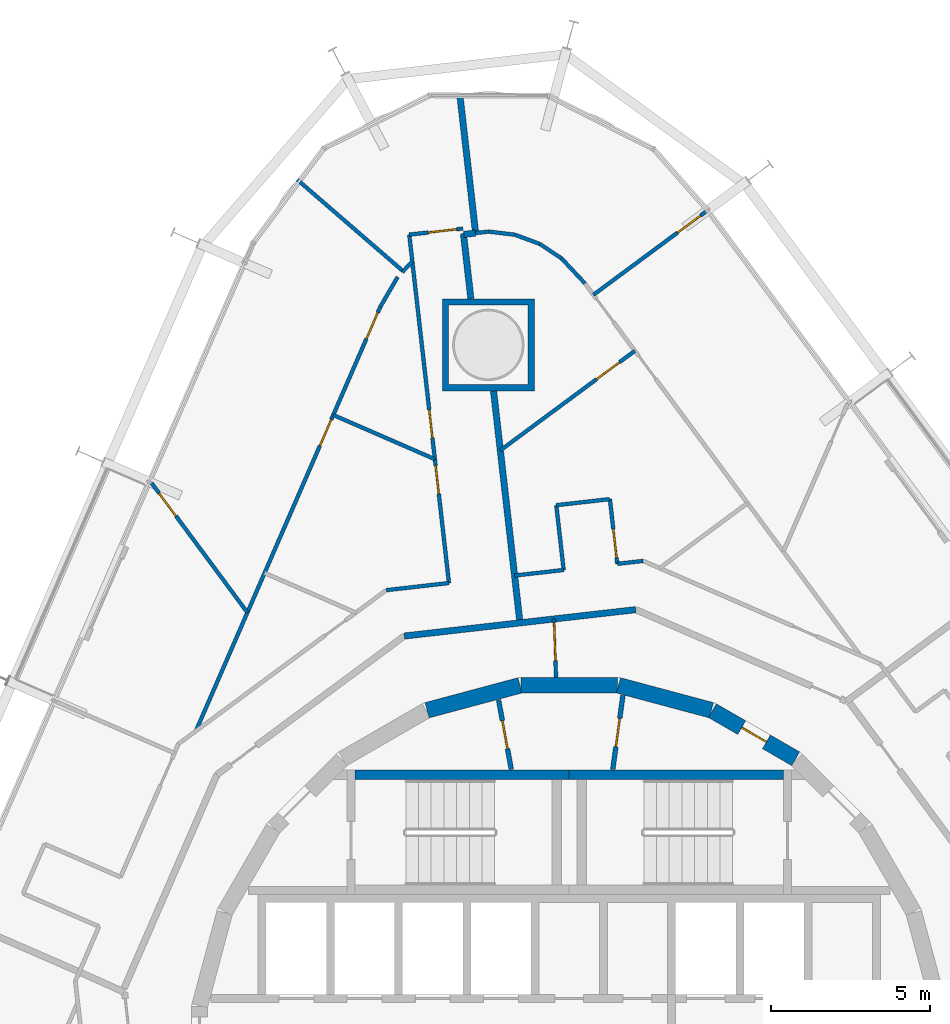
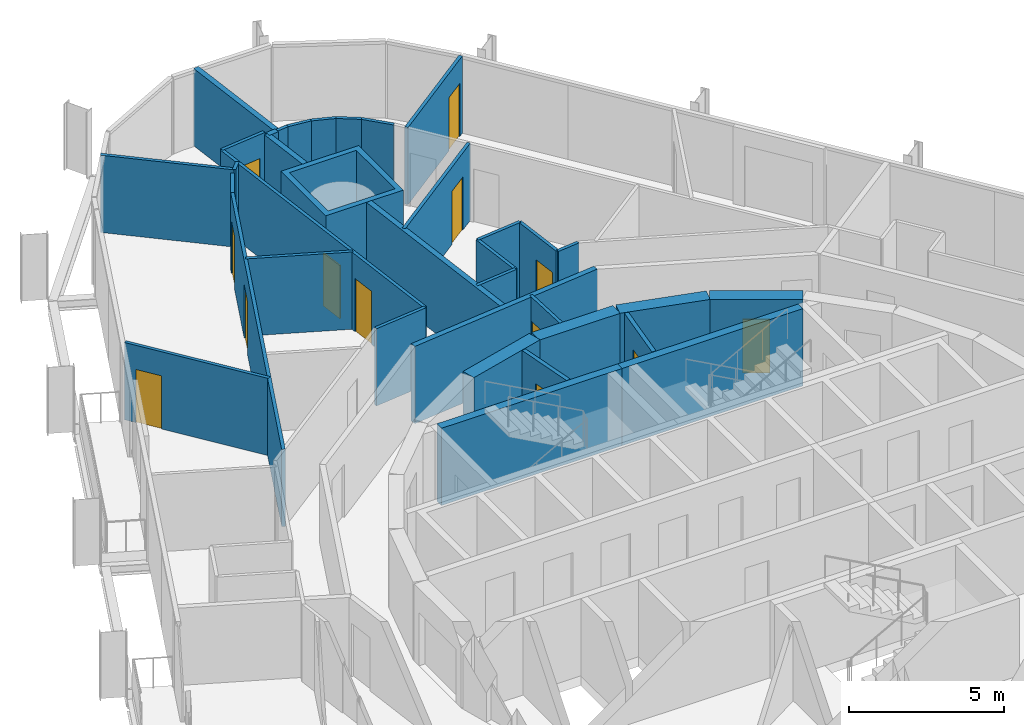
# One storey, part 21 of 23: 36 walls, 13 doors, 13 openings.
"""IFC4 building model written with IfcOpenShell, lengths in metres."""

from ifc_helpers import new_model, si_unit, direction, frame, frame_2d, origin, place, context, subcontext, project, spatial, polyline, rectangle, outline, extrude, material, layer, layer_set, type_object, element, fill, save


model = new_model("IFC4")

# Units and contexts
model_context = context("Model", 3, precision=1e-05, world=origin(), true_north=direction((0.0, 1.0)))
body_context = subcontext(model_context, "Body", "Model", "MODEL_VIEW")
ifc_project = project(units=[si_unit("LENGTHUNIT", "METRE"), si_unit("AREAUNIT", "SQUARE_METRE"), si_unit("VOLUMEUNIT", "CUBIC_METRE"), si_unit("PLANEANGLEUNIT", "RADIAN"), si_unit("MASSUNIT", "GRAM", prefix="KILO")], contexts=[model_context])

# Site, building, storey
site_placement = place(None, origin())
site = spatial("IfcSite", under=ifc_project, at=site_placement, CompositionType="ELEMENT")
building_placement = place(site_placement, origin())
building = spatial("IfcBuilding", under=site, at=building_placement, Name="Spindle Arch Residences", CompositionType="ELEMENT")
storey_placement = place(building_placement, frame((0.0, 0.0, 104.699951171875)))
storey = spatial("IfcBuildingStorey", under=building, at=storey_placement, Name="L25", CompositionType="ELEMENT", Elevation=104.699951171875)

# Wall, opening, door
ifc_material_1 = material(Name="Concrete C50/60", Category="concrete")
ifc_layer_1 = layer(ifc_material_1, 0.5)
ifc_layer_set_1 = layer_set([ifc_layer_1], Name="Core outline wall 500")
wall_type_1 = type_object("IfcWallType", Name="Core outline wall 500", PredefinedType="SHEAR", material=ifc_layer_set_1)
wall_1_placement = place(storey_placement, frame((7.13671875, 9.32861328125, 0.0), z_axis=(0.0, 0.0, 1.0), x_axis=(-0.865975092491, 0.500087131594, 0.0)))
wall_1 = element("IfcWall", 1, at=wall_1_placement, inside=storey, type_object=wall_type_1, Name="Core outline wall 10", PredefinedType="SHEAR", context=body_context, shape_type="SweptSolid", body=[
    extrude(rectangle(XDim=3.03271484375, YDim=0.5, at=frame_2d((1.516357421875, 0.0))), origin(), (0.0, 0.0, 1.0), 3.050048828125),
])
opening_1_placement = place(wall_1_placement, frame((1.06640625, 0.0, 0.0)))
opening_1 = element("IfcOpeningElement", 2, at=opening_1_placement, cuts=wall_1, Name="Opening R2C0-WD10", PredefinedType="OPENING", context=body_context, shape_type="SweptSolid", body=[
    extrude(rectangle(XDim=0.89990234375, YDim=2.10009765625, at=frame_2d((0.449951171875, 1.050048828125))), frame((0.0, 0.260009765625, 0.0), z_axis=(0.0, -1.0, 0.0), x_axis=(1.0, 0.0, 0.0)), (0.0, 0.0, 1.0), 0.52001953125),
])
ifc_material_2 = material(Name="Steel, fire-resisting door", Category="steel")
door_type_1 = type_object("IfcDoorType", Name="Service room door 900x2100", OperationType="SINGLE_SWING_LEFT", PredefinedType="DOOR", material=ifc_material_2)
door_1_placement = place(opening_1_placement, origin())
door_1 = element("IfcDoor", 3, at=door_1_placement, inside=storey, type_object=door_type_1, Name="Service room door R2C0-WD10", OperationType="SINGLE_SWING_LEFT", OverallHeight=2.10009765625, OverallWidth=0.89990234375, PredefinedType="DOOR", context=body_context, shape_type="SweptSolid", body=[
    extrude(rectangle(XDim=0.89990234375, YDim=2.10009765625, at=frame_2d((0.449951171875, 1.050048828125))), frame((0.0, 0.02490234375, 0.0), z_axis=(0.0, -1.0, 0.0), x_axis=(1.0, 0.0, 0.0)), (0.0, 0.0, 1.0), 0.050048828125),
])
fill(opening_1, door_1)

# Walls
for number, where, z_axis, x_axis, name in (
    (4, (4.479248046875, 10.858154296875, 0.0), (0.0, 0.0, 1.0), (-0.965948410781, 0.258734743916, 0.0), "Core outline wall 11"),
    (5, (1.516357421875, 11.647216796875, 0.0), (0.0, 0.0, 1.0), (-1.0, 0.0, 0.0), "Core outline wall 12"),
    (6, (-1.5498046875, 11.642822265625, 0.0), (0.0, 0.0, 1.0), (-0.965948410781, -0.258734743916, 0.0), "Core outline wall 13"),
):
    element("IfcWall", number, at=place(storey_placement, frame(where, z_axis=z_axis, x_axis=x_axis)), inside=storey, type_object=wall_type_1, Name=name, PredefinedType="SHEAR", context=body_context, shape_type="SweptSolid", body=[
        extrude(rectangle(XDim=3.03271484375, YDim=0.5, at=frame_2d((1.516357421875, 0.0))), origin(), (0.0, 0.0, 1.0), 3.050048828125),
    ])

# Wall, opening, door
ifc_material_3 = material(Name="Plasterboard on steel studs", Category="steel")
ifc_layer_2 = layer(ifc_material_3, 0.1201171875)
ifc_layer_set_2 = layer_set([ifc_layer_2], Name="Corridor division wall 120")
wall_type_2 = type_object("IfcWallType", Name="Corridor division wall 120", PredefinedType="PARTITIONING", material=ifc_layer_set_2)
wall_2_placement = place(storey_placement, frame((-0.4794921875, 13.73388671875, 0.0), z_axis=(0.0, 0.0, 1.0), x_axis=(0.034805430832, -0.999394107439, 0.0)))
wall_2 = element("IfcWall", 7, at=wall_2_placement, inside=storey, type_object=wall_type_2, Name="Corridor division wall R2C0-W001", PredefinedType="PARTITIONING", context=body_context, shape_type="SweptSolid", body=[
    extrude(rectangle(XDim=1.837890625, YDim=0.1201171875, at=frame_2d((0.9189453125, 0.0))), origin(), (0.0, 0.0, 1.0), 3.050048828125),
])
opening_2_placement = place(wall_2_placement, frame((0.114990234375, 0.0, 0.0)))
opening_2 = element("IfcOpeningElement", 8, at=opening_2_placement, cuts=wall_2, Name="Opening R2C0-CD01", PredefinedType="OPENING", context=body_context, shape_type="SweptSolid", body=[
    extrude(rectangle(XDim=1.199951171875, YDim=2.10009765625, at=frame_2d((0.60009765625, 1.050048828125))), frame((0.0, 0.070068359375, 0.0), z_axis=(0.0, -1.0, 0.0), x_axis=(1.0, 0.0, 0.0)), (0.0, 0.0, 1.0), 0.14013671875),
])
ifc_material_4 = material(Name="Steel, fire-resisting door", Category="steel")
door_type_2 = type_object("IfcDoorType", Name="Corridor division door 1200x2100", OperationType="NOTDEFINED", PredefinedType="DOOR", material=ifc_material_4)
door_2_placement = place(opening_2_placement, origin())
door_2 = element("IfcDoor", 9, at=door_2_placement, inside=storey, type_object=door_type_2, Name="Corridor division door R2C0-CD01", OperationType="DOUBLE_DOOR_SINGLE_SWING", OverallHeight=2.10009765625, OverallWidth=1.199951171875, PredefinedType="DOOR", context=body_context, shape_type="SweptSolid", body=[
    extrude(rectangle(XDim=1.199951171875, YDim=2.10009765625, at=frame_2d((0.60009765625, 1.050048828125))), frame((0.0, 0.02490234375, 0.0), z_axis=(0.0, -1.0, 0.0), x_axis=(1.0, 0.0, 0.0)), (0.0, 0.0, 1.0), 0.050048828125),
])
fill(opening_2, door_2)

# Walls
ifc_material_5 = material(Name="Calcium silicate block, plastered")
ifc_layer_3 = layer(ifc_material_5, 0.199951171875)
ifc_layer_set_3 = layer_set([ifc_layer_3], Name="Corridor wall 200")
wall_type_3 = type_object("IfcWallType", Name="Corridor wall 200", PredefinedType="STANDARD", material=ifc_layer_set_3)
wall_3_placement = place(storey_placement, frame((2.096435546875, 14.027587890625, 0.0), z_axis=(0.0, 0.0, 1.0), x_axis=(-0.993569170114, -0.113226782163, 0.0)))
element("IfcWall", 10, at=wall_3_placement, inside=storey, type_object=wall_type_3, Name="Corridor wall R2C0-W008", PredefinedType="STANDARD", context=body_context, shape_type="SweptSolid", body=[
    extrude(rectangle(XDim=7.341796875, YDim=0.199951171875, at=frame_2d((3.6708984375, 0.0))), origin(), (0.0, 0.0, 1.0), 3.050048828125),
])
ifc_material_6 = material(Name="Plasterboard on steel studs", Category="steel")
ifc_layer_4 = layer(ifc_material_6, 0.1201171875)
ifc_layer_set_4 = layer_set([ifc_layer_4], Name="Flat partition 120")
wall_type_4 = type_object("IfcWallType", Name="Flat partition 120", PredefinedType="PARTITIONING", material=ifc_layer_set_4)
wall_4_placement = place(storey_placement, frame((2.325927734375, 15.563232421875, 0.0), z_axis=(0.0, 0.0, 1.0), x_axis=(-0.993570169982, -0.113218007944, 0.0)))
element("IfcWall", 11, at=wall_4_placement, inside=storey, type_object=wall_type_4, Name="Flat partition R2C0-W051", PredefinedType="PARTITIONING", context=body_context, shape_type="SweptSolid", body=[
    extrude(rectangle(XDim=0.8173828125, YDim=0.1201171875, at=frame_2d((0.40869140625, 0.0))), origin(), (0.0, 0.0, 1.0), 3.050048828125),
])

# Wall, opening, door
wall_5_placement = place(storey_placement, frame((1.513916015625, 15.470703125, 0.0), z_axis=(0.0, 0.0, 1.0), x_axis=(-0.113301814952, 0.993560616535, 0.0)))
wall_5 = element("IfcWall", 12, at=wall_5_placement, inside=storey, type_object=wall_type_4, Name="Flat partition R2C0-W052", PredefinedType="PARTITIONING", context=body_context, shape_type="SweptSolid", body=[
    extrude(rectangle(XDim=2.053466796875, YDim=0.1201171875, at=frame_2d((1.02685546875, 0.0))), origin(), (0.0, 0.0, 1.0), 3.050048828125),
])
opening_3_placement = place(wall_5_placement, frame((0.199951171875, 0.0, 0.0)))
opening_3 = element("IfcOpeningElement", 13, at=opening_3_placement, cuts=wall_5, Name="Opening R2C0-ID08", PredefinedType="OPENING", context=body_context, shape_type="SweptSolid", body=[
    extrude(rectangle(XDim=0.89990234375, YDim=2.10009765625, at=frame_2d((0.449951171875, 1.050048828125))), frame((0.0, 0.070068359375, 0.0), z_axis=(0.0, -1.0, 0.0), x_axis=(1.0, 0.0, 0.0)), (0.0, 0.0, 1.0), 0.14013671875),
])
ifc_material_7 = material(Name="Timber door set", Category="wood")
door_type_3 = type_object("IfcDoorType", Name="Room door 900x2100", OperationType="NOTDEFINED", PredefinedType="DOOR", material=ifc_material_7)
door_3_placement = place(opening_3_placement, origin())
door_3 = element("IfcDoor", 14, at=door_3_placement, inside=storey, type_object=door_type_3, Name="Room door R2C0-ID08", OperationType="SINGLE_SWING_RIGHT", OverallHeight=2.10009765625, OverallWidth=0.89990234375, PredefinedType="DOOR", context=body_context, shape_type="SweptSolid", body=[
    extrude(rectangle(XDim=0.89990234375, YDim=2.10009765625, at=frame_2d((0.449951171875, 1.050048828125))), frame((0.0, 0.02490234375, 0.0), z_axis=(0.0, -1.0, 0.0), x_axis=(1.0, 0.0, 0.0)), (0.0, 0.0, 1.0), 0.050048828125),
])
fill(opening_3, door_3)

# Walls
wall_6_placement = place(storey_placement, frame((1.28125, 17.510986328125, 0.0), z_axis=(0.0, 0.0, 1.0), x_axis=(-0.993575191649, -0.113173930474, 0.0)))
element("IfcWall", 15, at=wall_6_placement, inside=storey, type_object=wall_type_4, Name="Flat partition R2C0-W053", PredefinedType="PARTITIONING", context=body_context, shape_type="SweptSolid", body=[
    extrude(rectangle(XDim=1.699951171875, YDim=0.1201171875, at=frame_2d((0.85009765625, 0.0))), origin(), (0.0, 0.0, 1.0), 3.050048828125),
])
wall_7_placement = place(storey_placement, frame((-0.40771484375, 17.318603515625, 0.0), z_axis=(0.0, 0.0, 1.0), x_axis=(0.113184449176, -0.993573993452, 0.0)))
element("IfcWall", 16, at=wall_7_placement, inside=storey, type_object=wall_type_4, Name="Flat partition R2C0-W054", PredefinedType="PARTITIONING", context=body_context, shape_type="SweptSolid", body=[
    extrude(rectangle(XDim=2.053466796875, YDim=0.1201171875, at=frame_2d((1.02685546875, 0.0))), origin(), (0.0, 0.0, 1.0), 3.050048828125),
])
wall_8_placement = place(storey_placement, frame((-0.17529296875, 15.2783203125, 0.0), z_axis=(0.0, 0.0, 1.0), x_axis=(-0.993575604955, -0.113170301923, 0.0)))
element("IfcWall", 17, at=wall_8_placement, inside=storey, type_object=wall_type_4, Name="Flat partition R2C0-W055", PredefinedType="PARTITIONING", context=body_context, shape_type="SweptSolid", body=[
    extrude(rectangle(XDim=1.555419921875, YDim=0.1201171875, at=frame_2d((0.77783203125, 0.0))), origin(), (0.0, 0.0, 1.0), 3.050048828125),
])

# Wall, opening, door
wall_9_placement = place(storey_placement, frame((4.29931640625, 26.56494140625, 0.0), z_axis=(0.0, 0.0, 1.0), x_axis=(-0.803851981262, -0.594829380764, 0.0)))
wall_9 = element("IfcWall", 18, at=wall_9_placement, inside=storey, type_object=wall_type_4, Name="Flat partition R2C0-W059", PredefinedType="PARTITIONING", context=body_context, shape_type="SweptSolid", body=[
    extrude(rectangle(XDim=4.39990234375, YDim=0.1201171875, at=frame_2d((2.199951171875, 0.0))), origin(), (0.0, 0.0, 1.0), 3.050048828125),
])
opening_4_placement = place(wall_9_placement, frame((0.199951171875, 0.0, 0.0)))
opening_4 = element("IfcOpeningElement", 19, at=opening_4_placement, cuts=wall_9, Name="Opening R2C0-ID12", PredefinedType="OPENING", context=body_context, shape_type="SweptSolid", body=[
    extrude(rectangle(XDim=0.89990234375, YDim=2.10009765625, at=frame_2d((0.449951171875, 1.050048828125))), frame((0.0, 0.070068359375, 0.0), z_axis=(0.0, -1.0, 0.0), x_axis=(1.0, 0.0, 0.0)), (0.0, 0.0, 1.0), 0.14013671875),
])
door_4_placement = place(opening_4_placement, origin())
door_4 = element("IfcDoor", 20, at=door_4_placement, inside=storey, type_object=door_type_3, Name="Room door R2C0-ID12", OperationType="SINGLE_SWING_RIGHT", OverallHeight=2.10009765625, OverallWidth=0.89990234375, PredefinedType="DOOR", context=body_context, shape_type="SweptSolid", body=[
    extrude(rectangle(XDim=0.89990234375, YDim=2.10009765625, at=frame_2d((0.449951171875, 1.050048828125))), frame((0.0, 0.02490234375, 0.0), z_axis=(0.0, -1.0, 0.0), x_axis=(1.0, 0.0, 0.0)), (0.0, 0.0, 1.0), 0.050048828125),
])
fill(opening_4, door_4)

wall_10_placement = place(storey_placement, frame((2.068359375, 22.182861328125, 0.0), z_axis=(0.0, 0.0, 1.0), x_axis=(-0.803867138365, -0.594808896921, 0.0)))
wall_10 = element("IfcWall", 21, at=wall_10_placement, inside=storey, type_object=wall_type_4, Name="Flat partition R2C0-W060", PredefinedType="PARTITIONING", context=body_context, shape_type="SweptSolid", body=[
    extrude(rectangle(XDim=5.272705078125, YDim=0.1201171875, at=frame_2d((2.63623046875, 0.0))), origin(), (0.0, 0.0, 1.0), 3.050048828125),
])
opening_5_placement = place(wall_10_placement, frame((0.60009765625, 0.0, 0.0)))
opening_5 = element("IfcOpeningElement", 22, at=opening_5_placement, cuts=wall_10, Name="Opening R2C0-ID10", PredefinedType="OPENING", context=body_context, shape_type="SweptSolid", body=[
    extrude(rectangle(XDim=0.89990234375, YDim=2.10009765625, at=frame_2d((0.449951171875, 1.050048828125))), frame((0.0, 0.070068359375, 0.0), z_axis=(0.0, -1.0, 0.0), x_axis=(1.0, 0.0, 0.0)), (0.0, 0.0, 1.0), 0.14013671875),
])
door_5_placement = place(opening_5_placement, origin())
door_5 = element("IfcDoor", 23, at=door_5_placement, inside=storey, type_object=door_type_3, Name="Room door R2C0-ID10", OperationType="SINGLE_SWING_RIGHT", OverallHeight=2.10009765625, OverallWidth=0.89990234375, PredefinedType="DOOR", context=body_context, shape_type="SweptSolid", body=[
    extrude(rectangle(XDim=0.89990234375, YDim=2.10009765625, at=frame_2d((0.449951171875, 1.050048828125))), frame((0.0, 0.02490234375, 0.0), z_axis=(0.0, -1.0, 0.0), x_axis=(1.0, 0.0, 0.0)), (0.0, 0.0, 1.0), 0.050048828125),
])
fill(opening_5, door_5)

# Walls
wall_11_placement = place(storey_placement, frame((-2.9501953125, 25.893310546875, 0.0), z_axis=(0.0, 0.0, 1.0), x_axis=(0.993519378224, 0.113662857141, 0.0)))
element("IfcWall", 24, at=wall_11_placement, inside=storey, type_object=wall_type_4, Name="Flat partition R2C0-W061", PredefinedType="PARTITIONING", context=body_context, shape_type="SweptSolid", body=[
    extrude(rectangle(XDim=0.41455078125, YDim=0.1201171875, at=frame_2d((0.207275390625, 0.0))), origin(), (0.0, 0.0, 1.0), 3.050048828125),
])
for number, where, z_axis, x_axis, name in (
    (25, (-2.538330078125, 25.9404296875, 0.0), (0.0, 0.0, 1.0), (0.992894945409, -0.118994232556, 0.0), "Flat partition R2C0-W062"),
    (26, (-1.71533203125, 25.841796875, 0.0), (0.0, 0.0, 1.0), (0.938644465852, -0.344886309856, 0.0), "Flat partition R2C0-W063"),
    (27, (-0.937255859375, 25.555908203125, 0.0), (0.0, 0.0, 1.0), (0.833858440069, -0.551978352769, 0.0), "Flat partition R2C0-W064"),
):
    element("IfcWall", number, at=place(storey_placement, frame(where, z_axis=z_axis, x_axis=x_axis)), inside=storey, type_object=wall_type_4, Name=name, PredefinedType="PARTITIONING", context=body_context, shape_type="SweptSolid", body=[
        extrude(rectangle(XDim=0.828857421875, YDim=0.1201171875, at=frame_2d((0.41455078125, 0.0))), origin(), (0.0, 0.0, 1.0), 3.050048828125),
    ])
wall_12_placement = place(storey_placement, frame((-0.24609375, 25.098388671875, 0.0), z_axis=(0.0, 0.0, 1.0), x_axis=(0.684172712488, -0.729320025426, 0.0)))
element("IfcWall", 28, at=wall_12_placement, inside=storey, type_object=wall_type_4, Name="Flat partition R2C0-W065", PredefinedType="PARTITIONING", context=body_context, shape_type="SweptSolid", body=[
    extrude(rectangle(XDim=1.0869140625, YDim=0.1201171875, at=frame_2d((0.54345703125, 0.0))), origin(), (0.0, 0.0, 1.0), 3.050048828125),
])

# Wall, opening, door
wall_13_placement = place(storey_placement, frame((-3.351318359375, 26.035888671875, 0.0), z_axis=(0.0, 0.0, 1.0), x_axis=(-0.993575191649, -0.113173930474, 0.0)))
wall_13 = element("IfcWall", 29, at=wall_13_placement, inside=storey, type_object=wall_type_4, Name="Flat partition R2C0-W066", PredefinedType="PARTITIONING", context=body_context, shape_type="SweptSolid", body=[
    extrude(rectangle(XDim=1.699951171875, YDim=0.1201171875, at=frame_2d((0.85009765625, 0.0))), origin(), (0.0, 0.0, 1.0), 3.050048828125),
])
opening_6_placement = place(wall_13_placement, frame((0.199951171875, 0.0, 0.0)))
opening_6 = element("IfcOpeningElement", 30, at=opening_6_placement, cuts=wall_13, Name="Opening R2C0-ID14", PredefinedType="OPENING", context=body_context, shape_type="SweptSolid", body=[
    extrude(rectangle(XDim=0.89990234375, YDim=2.10009765625, at=frame_2d((0.449951171875, 1.050048828125))), frame((0.0, 0.070068359375, 0.0), z_axis=(0.0, -1.0, 0.0), x_axis=(1.0, 0.0, 0.0)), (0.0, 0.0, 1.0), 0.14013671875),
])
door_6_placement = place(opening_6_placement, origin())
door_6 = element("IfcDoor", 31, at=door_6_placement, inside=storey, type_object=door_type_3, Name="Room door R2C0-ID14", OperationType="SINGLE_SWING_RIGHT", OverallHeight=2.10009765625, OverallWidth=0.89990234375, PredefinedType="DOOR", context=body_context, shape_type="SweptSolid", body=[
    extrude(rectangle(XDim=0.89990234375, YDim=2.10009765625, at=frame_2d((0.449951171875, 1.050048828125))), frame((0.0, 0.02490234375, 0.0), z_axis=(0.0, -1.0, 0.0), x_axis=(1.0, 0.0, 0.0)), (0.0, 0.0, 1.0), 0.050048828125),
])
fill(opening_6, door_6)

# Wall, openings, doors
wall_14_placement = place(storey_placement, frame((-5.040283203125, 25.843505859375, 0.0), z_axis=(0.0, 0.0, 1.0), x_axis=(0.1132106553, -0.993571007793, 0.0)))
wall_14 = element("IfcWall", 32, at=wall_14_placement, inside=storey, type_object=wall_type_4, Name="Flat partition R2C0-W067", PredefinedType="PARTITIONING", context=body_context, shape_type="SweptSolid", body=[
    extrude(rectangle(XDim=11.0478515625, YDim=0.1201171875, at=frame_2d((5.52392578125, 0.0))), origin(), (0.0, 0.0, 1.0), 3.050048828125),
])
opening_7_placement = place(wall_14_placement, frame((5.55126953125, 0.0, 0.0)))
opening_7 = element("IfcOpeningElement", 33, at=opening_7_placement, cuts=wall_14, Name="Opening R2C0-ID15", PredefinedType="OPENING", context=body_context, shape_type="SweptSolid", body=[
    extrude(rectangle(XDim=0.89990234375, YDim=2.10009765625, at=frame_2d((0.449951171875, 1.050048828125))), frame((0.0, 0.070068359375, 0.0), z_axis=(0.0, -1.0, 0.0), x_axis=(1.0, 0.0, 0.0)), (0.0, 0.0, 1.0), 0.14013671875),
])
opening_8_placement = place(wall_14_placement, frame((7.320068359375, 0.0, 0.0)))
opening_8 = element("IfcOpeningElement", 34, at=opening_8_placement, cuts=wall_14, Name="Opening R2C0-ID16", PredefinedType="OPENING", context=body_context, shape_type="SweptSolid", body=[
    extrude(rectangle(XDim=0.89990234375, YDim=2.10009765625, at=frame_2d((0.449951171875, 1.050048828125))), frame((0.0, 0.070068359375, 0.0), z_axis=(0.0, -1.0, 0.0), x_axis=(1.0, 0.0, 0.0)), (0.0, 0.0, 1.0), 0.14013671875),
])
door_7_placement = place(opening_7_placement, origin())
door_7 = element("IfcDoor", 35, at=door_7_placement, inside=storey, type_object=door_type_3, Name="Room door R2C0-ID15", OperationType="SINGLE_SWING_LEFT", OverallHeight=2.10009765625, OverallWidth=0.89990234375, PredefinedType="DOOR", context=body_context, shape_type="SweptSolid", body=[
    extrude(rectangle(XDim=0.89990234375, YDim=2.10009765625, at=frame_2d((0.449951171875, 1.050048828125))), frame((0.0, 0.02490234375, 0.0), z_axis=(0.0, -1.0, 0.0), x_axis=(1.0, 0.0, 0.0)), (0.0, 0.0, 1.0), 0.050048828125),
])
fill(opening_7, door_7)
door_8_placement = place(opening_8_placement, origin())
door_8 = element("IfcDoor", 36, at=door_8_placement, inside=storey, type_object=door_type_3, Name="Room door R2C0-ID16", OperationType="SINGLE_SWING_LEFT", OverallHeight=2.10009765625, OverallWidth=0.89990234375, PredefinedType="DOOR", context=body_context, shape_type="SweptSolid", body=[
    extrude(rectangle(XDim=0.89990234375, YDim=2.10009765625, at=frame_2d((0.449951171875, 1.050048828125))), frame((0.0, 0.02490234375, 0.0), z_axis=(0.0, -1.0, 0.0), x_axis=(1.0, 0.0, 0.0)), (0.0, 0.0, 1.0), 0.050048828125),
])
fill(opening_8, door_8)

# Walls
wall_15_placement = place(storey_placement, frame((-3.78955078125, 14.86669921875, 0.0), z_axis=(0.0, 0.0, 1.0), x_axis=(-0.993557948123, -0.113325212204, 0.0)))
element("IfcWall", 37, at=wall_15_placement, inside=storey, type_object=wall_type_4, Name="Flat partition R2C0-W068", PredefinedType="PARTITIONING", context=body_context, shape_type="SweptSolid", body=[
    extrude(rectangle(XDim=1.99072265625, YDim=0.1201171875, at=frame_2d((0.995361328125, 0.0))), origin(), (0.0, 0.0, 1.0), 3.050048828125),
])
wall_16_placement = place(storey_placement, frame((-5.261474609375, 24.662841796875, 0.0), z_axis=(0.0, 0.0, 1.0), x_axis=(0.688346106747, 0.725382407648, 0.0)))
element("IfcWall", 38, at=wall_16_placement, inside=storey, type_object=wall_type_4, Name="Flat partition R2C0-W075", PredefinedType="PARTITIONING", context=body_context, shape_type="SweptSolid", body=[
    extrude(rectangle(XDim=0.46142578125, YDim=0.1201171875, at=frame_2d((0.230712890625, 0.0))), origin(), (0.0, 0.0, 1.0), 3.050048828125),
])
wall_17_placement = place(storey_placement, frame((-8.56591796875, 27.57275390625, 0.0), z_axis=(0.0, 0.0, 1.0), x_axis=(0.756463964606, -0.654035373854, 0.0)))
element("IfcWall", 39, at=wall_17_placement, inside=storey, type_object=wall_type_4, Name="Flat partition R2C0-W076", PredefinedType="PARTITIONING", context=body_context, shape_type="SweptSolid", body=[
    extrude(rectangle(XDim=4.40478515625, YDim=0.1201171875, at=frame_2d((2.202392578125, 0.0))), origin(), (0.0, 0.0, 1.0), 3.050048828125),
])
wall_18_placement = place(storey_placement, frame((-7.43505859375, 20.160888671875, 0.0), z_axis=(0.0, 0.0, 1.0), x_axis=(0.917055599503, -0.398759360291, 0.0)))
element("IfcWall", 40, at=wall_18_placement, inside=storey, type_object=wall_type_4, Name="Flat partition R2C0-W077", PredefinedType="PARTITIONING", context=body_context, shape_type="SweptSolid", body=[
    extrude(rectangle(XDim=3.490478515625, YDim=0.1201171875, at=frame_2d((1.7451171875, 0.0))), origin(), (0.0, 0.0, 1.0), 3.050048828125),
])
wall_19_placement = place(storey_placement, frame((-5.40625, 24.510498046875, 0.0), z_axis=(0.0, 0.0, 1.0), x_axis=(-0.502487709822, -0.864584351858, 0.0)))
element("IfcWall", 41, at=wall_19_placement, inside=storey, type_object=wall_type_4, Name="Flat partition R2C0-W078", PredefinedType="PARTITIONING", context=body_context, shape_type="SweptSolid", body=[
    extrude(rectangle(XDim=1.0869140625, YDim=0.1201171875, at=frame_2d((0.54345703125, 0.0))), origin(), (0.0, 0.0, 1.0), 3.050048828125),
])

# Wall, openings, doors
wall_20_placement = place(storey_placement, frame((-5.952392578125, 23.57080078125, 0.0), z_axis=(0.0, 0.0, 1.0), x_axis=(-0.398745097158, -0.917061801348, 0.0)))
wall_20 = element("IfcWall", 42, at=wall_20_placement, inside=storey, type_object=wall_type_4, Name="Flat partition R2C0-W079", PredefinedType="PARTITIONING", context=body_context, shape_type="SweptSolid", body=[
    extrude(rectangle(XDim=14.576416015625, YDim=0.1201171875, at=frame_2d((7.2880859375, 0.0))), origin(), (0.0, 0.0, 1.0), 3.050048828125),
])
opening_9_placement = place(wall_20_placement, frame((3.878173828125, 0.0, 0.0)))
opening_9 = element("IfcOpeningElement", 43, at=opening_9_placement, cuts=wall_20, Name="Opening R2C0-ID18", PredefinedType="OPENING", context=body_context, shape_type="SweptSolid", body=[
    extrude(rectangle(XDim=0.89990234375, YDim=2.10009765625, at=frame_2d((0.449951171875, 1.050048828125))), frame((0.0, 0.070068359375, 0.0), z_axis=(0.0, -1.0, 0.0), x_axis=(1.0, 0.0, 0.0)), (0.0, 0.0, 1.0), 0.14013671875),
])
opening_10_placement = place(wall_20_placement, frame((0.199951171875, 0.0, 0.0)))
opening_10 = element("IfcOpeningElement", 44, at=opening_10_placement, cuts=wall_20, Name="Opening R2C0-ID20", PredefinedType="OPENING", context=body_context, shape_type="SweptSolid", body=[
    extrude(rectangle(XDim=0.89990234375, YDim=2.10009765625, at=frame_2d((0.449951171875, 1.050048828125))), frame((0.0, 0.070068359375, 0.0), z_axis=(0.0, -1.0, 0.0), x_axis=(1.0, 0.0, 0.0)), (0.0, 0.0, 1.0), 0.14013671875),
])
door_9_placement = place(opening_9_placement, origin())
door_9 = element("IfcDoor", 45, at=door_9_placement, inside=storey, type_object=door_type_3, Name="Room door R2C0-ID18", OperationType="SINGLE_SWING_LEFT", OverallHeight=2.10009765625, OverallWidth=0.89990234375, PredefinedType="DOOR", context=body_context, shape_type="SweptSolid", body=[
    extrude(rectangle(XDim=0.89990234375, YDim=2.10009765625, at=frame_2d((0.449951171875, 1.050048828125))), frame((0.0, 0.02490234375, 0.0), z_axis=(0.0, -1.0, 0.0), x_axis=(1.0, 0.0, 0.0)), (0.0, 0.0, 1.0), 0.050048828125),
])
fill(opening_9, door_9)
door_10_placement = place(opening_10_placement, origin())
door_10 = element("IfcDoor", 46, at=door_10_placement, inside=storey, type_object=door_type_3, Name="Room door R2C0-ID20", OperationType="SINGLE_SWING_RIGHT", OverallHeight=2.10009765625, OverallWidth=0.89990234375, PredefinedType="DOOR", context=body_context, shape_type="SweptSolid", body=[
    extrude(rectangle(XDim=0.89990234375, YDim=2.10009765625, at=frame_2d((0.449951171875, 1.050048828125))), frame((0.0, 0.02490234375, 0.0), z_axis=(0.0, -1.0, 0.0), x_axis=(1.0, 0.0, 0.0)), (0.0, 0.0, 1.0), 0.050048828125),
])
fill(opening_10, door_10)

# Wall, opening, door
wall_21_placement = place(storey_placement, frame((-13.1630859375, 18.021728515625, 0.0), z_axis=(0.0, 0.0, 1.0), x_axis=(0.594797671626, -0.803875444226, 0.0)))
wall_21 = element("IfcWall", 47, at=wall_21_placement, inside=storey, type_object=wall_type_4, Name="Flat partition R2C0-W081", PredefinedType="PARTITIONING", context=body_context, shape_type="SweptSolid", body=[
    extrude(rectangle(XDim=5.08056640625, YDim=0.1201171875, at=frame_2d((2.540283203125, 0.0))), origin(), (0.0, 0.0, 1.0), 3.050048828125),
])
opening_11_placement = place(wall_21_placement, frame((0.39990234375, 0.0, 0.0)))
opening_11 = element("IfcOpeningElement", 48, at=opening_11_placement, cuts=wall_21, Name="Opening R2C0-ID19", PredefinedType="OPENING", context=body_context, shape_type="SweptSolid", body=[
    extrude(rectangle(XDim=0.89990234375, YDim=2.10009765625, at=frame_2d((0.449951171875, 1.050048828125))), frame((0.0, 0.070068359375, 0.0), z_axis=(0.0, -1.0, 0.0), x_axis=(1.0, 0.0, 0.0)), (0.0, 0.0, 1.0), 0.14013671875),
])
door_11_placement = place(opening_11_placement, origin())
door_11 = element("IfcDoor", 49, at=door_11_placement, inside=storey, type_object=door_type_3, Name="Room door R2C0-ID19", OperationType="SINGLE_SWING_RIGHT", OverallHeight=2.10009765625, OverallWidth=0.89990234375, PredefinedType="DOOR", context=body_context, shape_type="SweptSolid", body=[
    extrude(rectangle(XDim=0.89990234375, YDim=2.10009765625, at=frame_2d((0.449951171875, 1.050048828125))), frame((0.0, 0.02490234375, 0.0), z_axis=(0.0, -1.0, 0.0), x_axis=(1.0, 0.0, 0.0)), (0.0, 0.0, 1.0), 0.050048828125),
])
fill(opening_11, door_11)

# Walls
ifc_material_8 = material(Name="Calcium silicate block, plastered")
ifc_layer_5 = layer(ifc_material_8, 0.199951171875)
ifc_layer_set_5 = layer_set([ifc_layer_5], Name="Flat party wall 200")
wall_type_5 = type_object("IfcWallType", Name="Flat party wall 200", PredefinedType="STANDARD", material=ifc_layer_set_5)
wall_22_placement = place(storey_placement, frame((-2.384521484375, 20.92041015625, 0.0), z_axis=(0.0, 0.0, 1.0), x_axis=(0.113177776247, -0.993574753586, 0.0)))
element("IfcWall", 50, at=wall_22_placement, inside=storey, type_object=wall_type_5, Name="Flat party wall R2C0-W020", PredefinedType="STANDARD", context=body_context, shape_type="SweptSolid", body=[
    extrude(rectangle(XDim=7.35595703125, YDim=0.199951171875, at=frame_2d((3.677978515625, 0.0))), origin(), (0.0, 0.0, 1.0), 3.050048828125),
])
wall_23_placement = place(storey_placement, frame((-3.4482421875, 30.26513671875, 0.0), z_axis=(0.0, 0.0, 1.0), x_axis=(0.113189797494, -0.993573384176, 0.0)))
element("IfcWall", 51, at=wall_23_placement, inside=storey, type_object=wall_type_5, Name="Flat party wall R2C0-W021", PredefinedType="STANDARD", context=body_context, shape_type="SweptSolid", body=[
    extrude(rectangle(XDim=4.400146484375, YDim=0.199951171875, at=frame_2d((2.2001953125, 0.0))), origin(), (0.0, 0.0, 1.0), 3.050048828125),
])
wall_24_placement = place(storey_placement, frame((-3.333251953125, 25.878662109375, 0.0), z_axis=(0.0, 0.0, 1.0), x_axis=(0.113250782095, -0.993566434797, 0.0)))
element("IfcWall", 52, at=wall_24_placement, inside=storey, type_object=wall_type_5, Name="Flat party wall R2C0-W022", PredefinedType="STANDARD", context=body_context, shape_type="SweptSolid", body=[
    extrude(rectangle(XDim=2.07177734375, YDim=0.199951171875, at=frame_2d((1.035888671875, 0.0))), origin(), (0.0, 0.0, 1.0), 3.050048828125),
])
wall_25_placement = place(storey_placement, frame((-2.960205078125, 25.892333984375, 0.0), z_axis=(0.0, 0.0, 1.0), x_axis=(-0.993567388358, -0.113242416041, 0.0)))
element("IfcWall", 53, at=wall_25_placement, inside=storey, type_object=wall_type_5, Name="Flat party wall R2C0-W023", PredefinedType="STANDARD", context=body_context, shape_type="SweptSolid", body=[
    extrude(rectangle(XDim=0.3623046875, YDim=0.199951171875, at=frame_2d((0.18115234375, 0.0))), origin(), (0.0, 0.0, 1.0), 3.050048828125),
])
ifc_material_9 = material(Name="Calcium silicate block, plastered")
ifc_layer_6 = layer(ifc_material_9, 0.199951171875)
ifc_layer_set_6 = layer_set([ifc_layer_6], Name="Mega-column casing wall 200")
wall_type_6 = type_object("IfcWallType", Name="Mega-column casing wall 200", PredefinedType="STANDARD", material=ifc_layer_set_6)
wall_26_placement = place(storey_placement, origin())
element("IfcWall", 54, at=wall_26_placement, inside=storey, type_object=wall_type_6, Name="Mega-column casing wall R2C0-WC01", PredefinedType="STANDARD", context=body_context, shape_type="SweptSolid", body=[
    extrude(outline(polyline([(-1.098876953125, 23.8203125), (-1.098876953125, 20.92041015625), (-3.998779296875, 20.92041015625), (-3.998779296875, 23.8203125), (-1.098876953125, 23.8203125)]), holes=[polyline([(-3.798828125, 21.120361328125), (-1.298828125, 21.120361328125), (-1.298828125, 23.620361328125), (-3.798828125, 23.620361328125), (-3.798828125, 21.120361328125)])]), origin(), (0.0, 0.0, 1.0), 3.050048828125),
])

# Wall, opening, door
ifc_material_10 = material(Name="Concrete C25/30", Category="concrete")
ifc_layer_7 = layer(ifc_material_10, 0.14990234375)
ifc_layer_set_7 = layer_set([ifc_layer_7], Name="Service room partition 150")
wall_type_7 = type_object("IfcWallType", Name="Service room partition 150", PredefinedType="PARTITIONING", material=ifc_layer_set_7)
wall_27_placement = place(storey_placement, frame((1.69091796875, 11.32568359375, 0.0), z_axis=(0.0, 0.0, 1.0), x_axis=(-0.135344253201, -0.990798633994, 0.0)))
wall_27 = element("IfcWall", 55, at=wall_27_placement, inside=storey, type_object=wall_type_7, Name="Core service room partition", PredefinedType="PARTITIONING", context=body_context, shape_type="SweptSolid", body=[
    extrude(rectangle(XDim=2.357666015625, YDim=0.14990234375, at=frame_2d((1.1787109375, 0.0))), origin(), (0.0, 0.0, 1.0), 3.050048828125),
])
opening_12_placement = place(wall_27_placement, frame((0.728759765625, 0.0, 0.0)))
opening_12 = element("IfcOpeningElement", 56, at=opening_12_placement, cuts=wall_27, Name="Opening R2C0-WD06", PredefinedType="OPENING", context=body_context, shape_type="SweptSolid", body=[
    extrude(rectangle(XDim=0.89990234375, YDim=2.10009765625, at=frame_2d((0.449951171875, 1.050048828125))), frame((0.0, 0.0849609375, 0.0), z_axis=(0.0, -1.0, 0.0), x_axis=(1.0, 0.0, 0.0)), (0.0, 0.0, 1.0), 0.169921875),
])
door_12_placement = place(opening_12_placement, origin())
door_12 = element("IfcDoor", 57, at=door_12_placement, inside=storey, type_object=door_type_1, Name="Service room door R2C0-WD06", OperationType="SINGLE_SWING_LEFT", OverallHeight=2.10009765625, OverallWidth=0.89990234375, PredefinedType="DOOR", context=body_context, shape_type="SweptSolid", body=[
    extrude(rectangle(XDim=0.89990234375, YDim=2.10009765625, at=frame_2d((0.449951171875, 1.050048828125))), frame((0.0, 0.02490234375, 0.0), z_axis=(0.0, -1.0, 0.0), x_axis=(1.0, 0.0, 0.0)), (0.0, 0.0, 1.0), 0.050048828125),
])
fill(opening_12, door_12)

wall_28_placement = place(storey_placement, frame((-1.824951171875, 8.98974609375, 0.0), z_axis=(0.0, 0.0, 1.0), x_axis=(-0.179955206115, 0.983674805915, 0.0)))
wall_28 = element("IfcWall", 58, at=wall_28_placement, inside=storey, type_object=wall_type_7, Name="Core service room partition", PredefinedType="PARTITIONING", context=body_context, shape_type="SweptSolid", body=[
    extrude(rectangle(XDim=2.22900390625, YDim=0.14990234375, at=frame_2d((1.114501953125, 0.0))), origin(), (0.0, 0.0, 1.0), 3.050048828125),
])
opening_13_placement = place(wall_28_placement, frame((0.66455078125, 0.0, 0.0)))
opening_13 = element("IfcOpeningElement", 59, at=opening_13_placement, cuts=wall_28, Name="Opening R2C0-WD07", PredefinedType="OPENING", context=body_context, shape_type="SweptSolid", body=[
    extrude(rectangle(XDim=0.89990234375, YDim=2.10009765625, at=frame_2d((0.449951171875, 1.050048828125))), frame((0.0, 0.0849609375, 0.0), z_axis=(0.0, -1.0, 0.0), x_axis=(1.0, 0.0, 0.0)), (0.0, 0.0, 1.0), 0.169921875),
])
door_13_placement = place(opening_13_placement, origin())
door_13 = element("IfcDoor", 60, at=door_13_placement, inside=storey, type_object=door_type_1, Name="Service room door R2C0-WD07", OperationType="SINGLE_SWING_RIGHT", OverallHeight=2.10009765625, OverallWidth=0.89990234375, PredefinedType="DOOR", context=body_context, shape_type="SweptSolid", body=[
    extrude(rectangle(XDim=0.89990234375, YDim=2.10009765625, at=frame_2d((0.449951171875, 1.050048828125))), frame((0.0, 0.02490234375, 0.0), z_axis=(0.0, -1.0, 0.0), x_axis=(1.0, 0.0, 0.0)), (0.0, 0.0, 1.0), 0.050048828125),
])
fill(opening_13, door_13)

# Walls
ifc_material_11 = material(Name="Concrete C50/60", Category="concrete")
ifc_layer_8 = layer(ifc_material_11, 0.300048828125)
ifc_layer_set_8 = layer_set([ifc_layer_8], Name="Stair enclosure wall 300")
wall_type_8 = type_object("IfcWallType", Name="Stair enclosure wall 300", PredefinedType="SHEAR", material=ifc_layer_set_8)
for number, where, z_axis, x_axis, name in (
    (61, (0.0, 8.820068359375, 0.0), (0.0, 0.0, 1.0), (1.0, 0.0, 0.0), "Stair ST-1 enclosure wall N"),
    (62, (-6.75, 8.820068359375, 0.0), (0.0, 0.0, 1.0), (1.0, 0.0, 0.0), "Stair ST-2 enclosure wall N"),
):
    element("IfcWall", number, at=place(storey_placement, frame(where, z_axis=z_axis, x_axis=x_axis)), inside=storey, type_object=wall_type_8, Name=name, PredefinedType="SHEAR", context=body_context, shape_type="SweptSolid", body=[
        extrude(rectangle(XDim=6.75, YDim=0.300048828125, at=frame_2d((3.375, 0.0))), origin(), (0.0, 0.0, 1.0), 3.050048828125),
    ])

save(model, "model.ifc")
